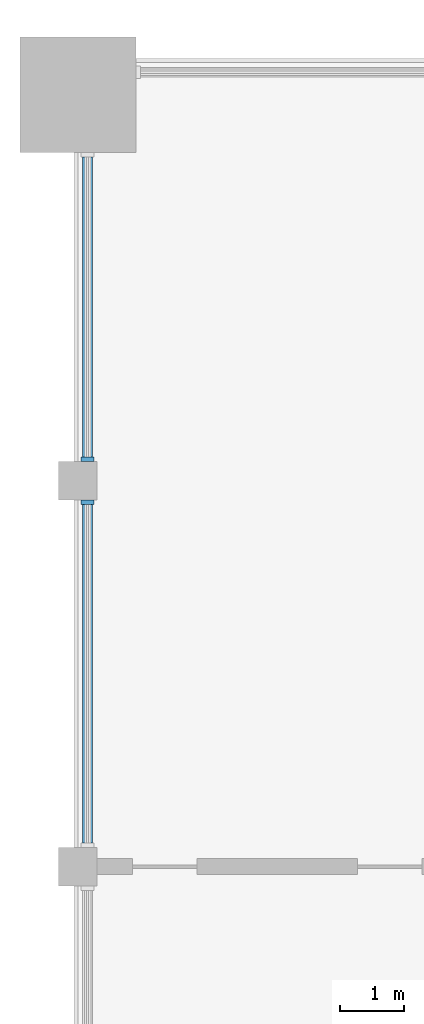
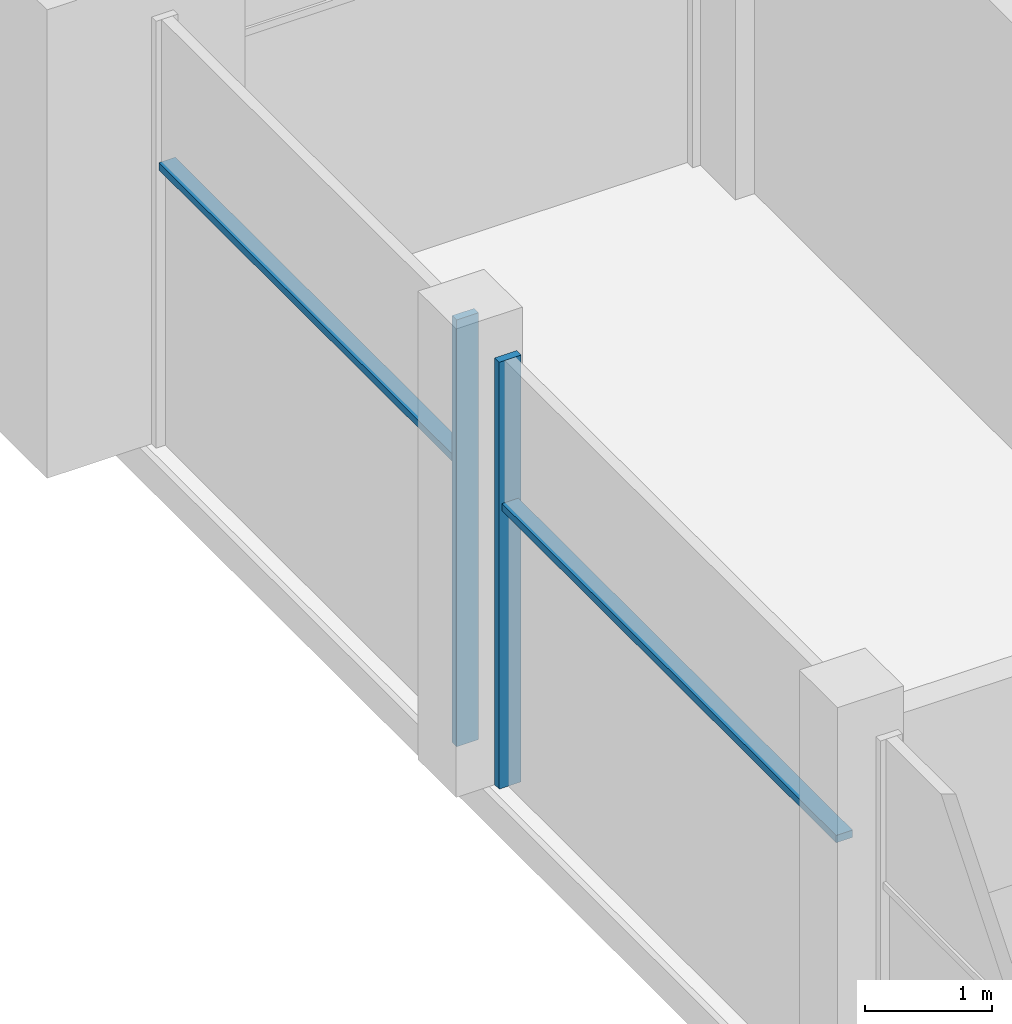
# One storey, part 3 of 9: 4 members, 2 elements without a shape of their own.
"""IFC4 building model written with IfcOpenShell, lengths in metres."""

import ifcopenshell
import ifcopenshell.guid

model = None  # the IFC model being written
_history = None  # IfcOwnerHistory: only IFC2X3 demands one
_inside = {}  # id of a spatial element -> (the spatial element, [elements in it])
_under = {}  # id of a project, library or spatial element -> (it, [spatial elements below it])
_declared = {}  # id of a project -> (the project, [libraries it declares])
_typed = {}  # id of a type object -> (the type object, [elements of that type])
_made_of = {}  # id of a material, layer set ... -> (it, [elements and type objects made of it])


def new_model(schema):
    """Start an empty IFC model of exactly this schema.

    Asked for "IFC4X3", IfcOpenShell would pick the latest addendum, in which some entities
    have other attributes; the version numbers below select the first issue.
    IFC2X3 requires an IfcOwnerHistory on every rooted entity: one is made here for all.
    """
    global model, _history
    if schema == "IFC4X3":
        model = ifcopenshell.file(schema_version=(4, 3, 0, 0))
    else:
        model = ifcopenshell.file(schema=schema)
    _inside.clear()
    _under.clear()
    _declared.clear()
    _typed.clear()
    _made_of.clear()
    _history = None
    if model.schema == "IFC2X3":
        org = make("IfcOrganization", Name="unknown")
        user = make(
            "IfcPersonAndOrganization",
            ThePerson=make("IfcPerson", FamilyName="unknown"),
            TheOrganization=org,
        )
        app = make(
            "IfcApplication",
            ApplicationDeveloper=org,
            Version="unknown",
            ApplicationFullName="unknown",
            ApplicationIdentifier="unknown",
        )
        _history = make(
            "IfcOwnerHistory",
            OwningUser=user,
            OwningApplication=app,
            ChangeAction="ADDED",
            CreationDate=0,
        )
    return model


def make(cls, **values):
    """One entity of the class cls with the attributes given. An attribute that is None is left unset."""
    return model.create_entity(
        cls, **{name: value for name, value in values.items() if value is not None}
    )


def rooted(cls, **values):
    """An entity with a GlobalId (a new one), such as an element, a storey or a relation."""
    return make(cls, GlobalId=ifcopenshell.guid.new(), OwnerHistory=_history, **values)


def si_unit(unit_type, name, prefix=None):
    """IfcSIUnit, for example si_unit("LENGTHUNIT", "METRE", prefix="MILLI")."""
    return make("IfcSIUnit", UnitType=unit_type, Prefix=prefix, Name=name)


def assignment(units):
    """IfcUnitAssignment: the units of a project."""
    return None if units is None else make("IfcUnitAssignment", Units=units)


def point(xyz):
    """IfcCartesianPoint."""
    return None if xyz is None else make("IfcCartesianPoint", Coordinates=xyz)


def direction(xyz):
    """IfcDirection."""
    return None if xyz is None else make("IfcDirection", DirectionRatios=xyz)


def frame(location, z_axis=None, x_axis=None):
    """IfcAxis2Placement3D, a coordinate frame: its origin and axes. An axis left out is left unset."""
    return make(
        "IfcAxis2Placement3D",
        Location=point(location),
        Axis=direction(z_axis),
        RefDirection=direction(x_axis),
    )


def frame_2d(location, x_axis=None):
    """IfcAxis2Placement2D, a coordinate frame in the plane: its origin and x axis."""
    return make(
        "IfcAxis2Placement2D", Location=point(location), RefDirection=direction(x_axis)
    )


def origin():
    """The frame at (0, 0, 0) with its axes left unset."""
    return frame((0.0, 0.0, 0.0))


def origin_2d():
    """The frame at (0, 0) in the plane with its x axis left unset."""
    return frame_2d((0.0, 0.0))


def place(relative_to, where):
    """IfcLocalPlacement: puts the frame where relative to a parent placement (None: the world)."""
    return make(
        "IfcLocalPlacement", PlacementRelTo=relative_to, RelativePlacement=where
    )


def context(
    kind, dimensions, precision=None, world=None, true_north=None, identifier=None
):
    """IfcGeometricRepresentationContext, for example the 3D "Model" context."""
    return make(
        "IfcGeometricRepresentationContext",
        ContextIdentifier=identifier,
        ContextType=kind,
        CoordinateSpaceDimension=dimensions,
        Precision=precision,
        WorldCoordinateSystem=world,
        TrueNorth=true_north,
    )


def subcontext(parent, identifier, kind, view, scale=None):
    """IfcGeometricRepresentationSubContext, for example "Body" below "Model"."""
    return make(
        "IfcGeometricRepresentationSubContext",
        ContextIdentifier=identifier,
        ContextType=kind,
        ParentContext=parent,
        TargetScale=scale,
        TargetView=view,
    )


def project(units=None, contexts=None):
    """IfcProject with its units and contexts."""
    return rooted(
        "IfcProject",
        Name="project",
        RepresentationContexts=contexts,
        UnitsInContext=assignment(units),
    )


def spatial(cls, under=None, at=None, **own):
    """A site, building, storey or space (cls), placed at a placement, below another one or the project."""
    s = rooted(cls, ObjectPlacement=at, **own)
    if under is not None:
        _under.setdefault(under.id(), (under, []))[1].append(s)
    return s


def profile(cls, at=None, kind="AREA", **sizes):
    """A parametric profile (cls). Its sizes go by their IFC names, for example OverallWidth=200.0."""
    return make(cls, ProfileType=kind, Position=at, **sizes)


def rectangle(**sizes):
    """IfcRectangleProfileDef."""
    return profile("IfcRectangleProfileDef", **sizes)


def extrude(swept, where, along, depth):
    """IfcExtrudedAreaSolid: the profile swept, set in the frame where, extruded along a direction by depth."""
    return make(
        "IfcExtrudedAreaSolid",
        SweptArea=swept,
        Position=where,
        ExtrudedDirection=direction(along),
        Depth=depth,
    )


def shape(context_of_items, identifier, shape_type, items):
    """IfcShapeRepresentation: the items that make up one representation, for example the "Body"."""
    return make(
        "IfcShapeRepresentation",
        ContextOfItems=context_of_items,
        RepresentationIdentifier=identifier,
        RepresentationType=shape_type,
        Items=items,
    )


def material(Name=None, Category=None):
    """IfcMaterial."""
    return make("IfcMaterial", Name=Name, Category=Category)


def material_profile(
    of_material, cross_section, Name=None, Category=None, Priority=None
):
    """IfcMaterialProfile: a cross section and its material."""
    return make(
        "IfcMaterialProfile",
        Name=Name,
        Material=of_material,
        Profile=cross_section,
        Priority=Priority,
        Category=Category,
    )


def profile_set(profiles, Name=None, composite=None):
    """IfcMaterialProfileSet."""
    return make(
        "IfcMaterialProfileSet",
        Name=Name,
        MaterialProfiles=profiles,
        CompositeProfile=composite,
    )


def made_of(thing, what):
    """Note that an element or type object is made of a material, layer set ...; save() writes the relation."""
    if what is not None:
        _made_of.setdefault(what.id(), (what, []))[1].append(thing)
    return thing


def type_object(cls, material=None, **own):
    """A type object (cls), such as IfcWallType, which elements share."""
    return made_of(rooted(cls, **own), material)


def element(
    cls,
    number,
    at=None,
    inside=None,
    cuts=None,
    type_object=None,
    material=None,
    context=None,
    identifier="Body",
    shape_type=None,
    held_by="IfcProductDefinitionShape",
    body=None,
    shapes=None,
    **own,
):
    """One element of the class cls, such as IfcWall. Its Tag is "e" and its number.

    at: its placement. inside: the storey or other place that contains it. cuts: it is an
    opening in that element (IfcRelVoidsElement). A single representation is given by context,
    identifier, shape_type and body (its items); several are given by shapes. held_by: the class
    of the entity that holds the representations. save() writes the other relations.
    """
    e = rooted(cls, Tag="e%d" % number, ObjectPlacement=at, **own)
    if body is not None:
        shapes = [shape(context, identifier, shape_type, body)]
    if shapes is not None:
        e.Representation = make(held_by, Representations=shapes)
    if inside is not None:
        _inside.setdefault(inside.id(), (inside, []))[1].append(e)
    if cuts is not None:
        rooted(
            "IfcRelVoidsElement", RelatingBuildingElement=cuts, RelatedOpeningElement=e
        )
    if type_object is not None:
        _typed.setdefault(type_object.id(), (type_object, []))[1].append(e)
    return made_of(e, material)


def aggregate(whole, parts):
    """IfcRelAggregates: a whole, such as a stair, and the parts it consists of."""
    return rooted("IfcRelAggregates", RelatingObject=whole, RelatedObjects=parts)


def save(model, path):
    """Write the relations noted so far, then the file.

    IfcRelAggregates (storeys below a building ...), IfcRelContainedInSpatialStructure (elements
    in a storey), IfcRelDefinesByType, IfcRelAssociatesMaterial and IfcRelDeclares: one each for
    every whole, place, type object, material and project.
    """
    for whole, parts in _under.values():
        aggregate(whole, parts)
    for where, things in _inside.values():
        rooted(
            "IfcRelContainedInSpatialStructure",
            RelatedElements=things,
            RelatingStructure=where,
        )
    for kind, things in _typed.values():
        rooted("IfcRelDefinesByType", RelatedObjects=things, RelatingType=kind)
    for what, things in _made_of.values():
        rooted("IfcRelAssociatesMaterial", RelatedObjects=things, RelatingMaterial=what)
    for by, libraries in _declared.values():
        rooted("IfcRelDeclares", RelatingContext=by, RelatedDefinitions=libraries)
    model.write(path)


model = new_model("IFC4")

# Units and contexts
model_context = context("Model", 3, precision=1e-05, world=origin(), true_north=direction((0.0, 1.0)))
body_context = subcontext(model_context, "Body", "Model", "MODEL_VIEW")
ifc_project = project(units=[si_unit("LENGTHUNIT", "METRE"), si_unit("AREAUNIT", "SQUARE_METRE"), si_unit("VOLUMEUNIT", "CUBIC_METRE"), si_unit("PLANEANGLEUNIT", "RADIAN"), si_unit("MASSUNIT", "GRAM", prefix="KILO")], contexts=[model_context])

# Site, building, storey
site_placement = place(None, origin())
site = spatial("IfcSite", under=ifc_project, at=site_placement, CompositionType="ELEMENT")
building_placement = place(site_placement, origin())
building = spatial("IfcBuilding", under=site, at=building_placement, Name="Finial Court Residences", CompositionType="ELEMENT")
storey_placement = place(building_placement, frame((0.0, 0.0, 307.699951171875)))
storey = spatial("IfcBuildingStorey", under=building, at=storey_placement, Name="L78", CompositionType="ELEMENT", Elevation=307.699951171875)

# Curtain wall, member
ifc_material = material(Name="Bronze anodised aluminium", Category="aluminium")
curtain_wall_type = type_object("IfcCurtainWallType", Name="Crown lantern glazing", PredefinedType="NOTDEFINED", material=ifc_material)
curtain_wall_1_placement = place(storey_placement, origin())
curtain_wall_1 = element("IfcCurtainWall", 1, at=curtain_wall_1_placement, inside=storey, type_object=curtain_wall_type, Name="E-L78-CW-W5c3", PredefinedType="NOTDEFINED")
ifc_material_profile_1 = material_profile(ifc_material, rectangle(XDim=0.199951171875, YDim=0.070068359375, at=origin_2d()), Name="CW6 mullion 70 x 200")
ifc_profile_set_1 = profile_set([ifc_material_profile_1], Name="Bronze anodised aluminium")
member_type_1 = type_object("IfcMemberType", Name="CW6 mullion 70 x 200", PredefinedType="MULLION", material=ifc_profile_set_1)
member_1_placement = place(storey_placement, frame((-16.35009765625, 1.1650390625, 0.0), z_axis=(0.0, 0.0, 1.0), x_axis=(-1.0, 0.0, 0.0)))
member_1 = element("IfcMember", 2, at=member_1_placement, type_object=member_type_1, Name="CW6 mullion 2", PredefinedType="MULLION", context=body_context, shape_type="SweptSolid", body=[
    extrude(rectangle(XDim=0.199951171875, YDim=0.070068359375, at=origin_2d()), origin(), (0.0, 0.0, 1.0), 4.10009765625),
])

curtain_wall_2_placement = place(storey_placement, origin())
curtain_wall_2 = element("IfcCurtainWall", 3, at=curtain_wall_2_placement, inside=storey, type_object=curtain_wall_type, Name="E-L78-CW-W5c4", PredefinedType="NOTDEFINED")
member_2_placement = place(storey_placement, frame((-16.35009765625, 1.8349609375, 0.0), z_axis=(0.0, 0.0, 1.0), x_axis=(-1.0, 0.0, 0.0)))
member_2 = element("IfcMember", 4, at=member_2_placement, type_object=member_type_1, Name="CW6 mullion 1", PredefinedType="MULLION", context=body_context, shape_type="SweptSolid", body=[
    extrude(rectangle(XDim=0.199951171875, YDim=0.070068359375, at=origin_2d()), origin(), (0.0, 0.0, 1.0), 4.10009765625),
])

# Member
ifc_material_profile_2 = material_profile(ifc_material, rectangle(XDim=0.14990234375, YDim=0.070068359375, at=origin_2d()), Name="CW6 transom 70 x 150")
ifc_profile_set_2 = profile_set([ifc_material_profile_2], Name="Bronze anodised aluminium")
member_type_2 = type_object("IfcMemberType", Name="CW6 transom 70 x 150", PredefinedType="USERDEFINED", material=ifc_profile_set_2)
member_3_placement = place(storey_placement, frame((-16.35009765625, -4.1298828125, 2.699951171875), z_axis=(0.0, 1.0, 0.0), x_axis=(-1.0, 0.0, 0.0)))
member_3 = element("IfcMember", 5, at=member_3_placement, type_object=member_type_2, Name="CW6 transom 1.1", ObjectType="TRANSOM", PredefinedType="USERDEFINED", context=body_context, shape_type="SweptSolid", body=[
    extrude(rectangle(XDim=0.14990234375, YDim=0.070068359375, at=origin_2d()), origin(), (0.0, 0.0, 1.0), 5.259765625),
])

aggregate(curtain_wall_1, [member_1, member_3])

member_4_placement = place(storey_placement, frame((-16.35009765625, 1.8701171875, 2.699951171875), z_axis=(0.0, 1.0, 0.0), x_axis=(-1.0, 0.0, 0.0)))
member_4 = element("IfcMember", 6, at=member_4_placement, type_object=member_type_2, Name="CW6 transom 1.1", ObjectType="TRANSOM", PredefinedType="USERDEFINED", context=body_context, shape_type="SweptSolid", body=[
    extrude(rectangle(XDim=0.14990234375, YDim=0.070068359375, at=origin_2d()), origin(), (0.0, 0.0, 1.0), 4.659912109375),
])

aggregate(curtain_wall_2, [member_2, member_4])

save(model, "model.ifc")
